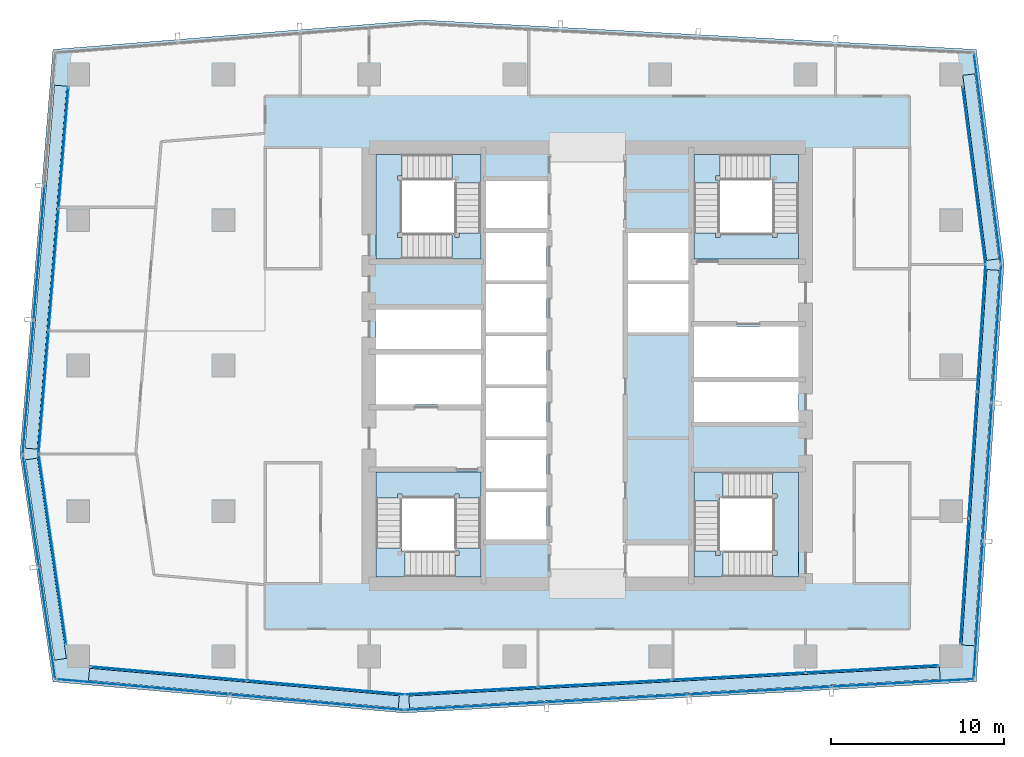
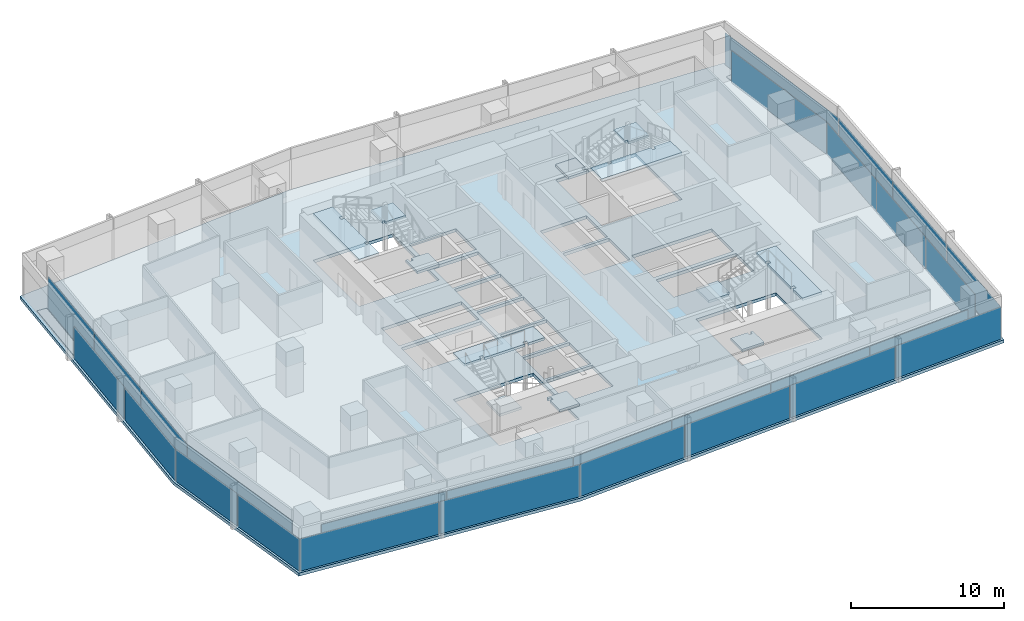
# One storey, part 21 of 30: 34 plates, 13 slabs, 16 elements without a shape of their own.
"""IFC4 building model written with IfcOpenShell, lengths in metres."""

from ifc_helpers import new_model, si_unit, direction, frame, origin, origin_2d, place, context, subcontext, project, spatial, polyline, rectangle, outline, extrude, material, layer, layer_set, type_object, element, aggregate, save


model = new_model("IFC4")

# Units and contexts
model_context = context("Model", 3, precision=1e-05, world=origin(), true_north=direction((0.0, 1.0)))
body_context = subcontext(model_context, "Body", "Model", "MODEL_VIEW")
ifc_project = project(units=[si_unit("LENGTHUNIT", "METRE"), si_unit("AREAUNIT", "SQUARE_METRE"), si_unit("VOLUMEUNIT", "CUBIC_METRE"), si_unit("PLANEANGLEUNIT", "RADIAN"), si_unit("MASSUNIT", "GRAM", prefix="KILO")], contexts=[model_context])

# Site, building, storey
site_placement = place(None, origin())
site = spatial("IfcSite", under=ifc_project, at=site_placement, CompositionType="ELEMENT")
building_placement = place(site_placement, origin())
building = spatial("IfcBuilding", under=site, at=building_placement, Name="Rekha Terrace Tower", CompositionType="ELEMENT")
storey_placement = place(building_placement, frame((0.0, 0.0, 272.60009765625)))
storey = spatial("IfcBuildingStorey", under=building, at=storey_placement, Name="L69", CompositionType="ELEMENT", Elevation=272.60009765625)

# Curtain wall, plates
ifc_material_1 = material(Name="Aluminium framing", Category="aluminium")
curtain_wall_type_1 = type_object("IfcCurtainWallType", Name="CW1 double skin inner glazing", PredefinedType="USERDEFINED", material=ifc_material_1)
curtain_wall_1_placement = place(storey_placement, origin())
curtain_wall_1 = element("IfcCurtainWall", 1, at=curtain_wall_1_placement, inside=storey, type_object=curtain_wall_type_1, Name="CW1 double skin inner glazing", ObjectType="DOUBLE SKIN INNER GLAZING", PredefinedType="USERDEFINED")
ifc_material_2 = material(Name="Double-glazed low-e unit 32", Category="glass")
ifc_layer_1 = layer(ifc_material_2, 0.031982421875)
ifc_layer_set_1 = layer_set([ifc_layer_1], Name="Double-glazed low-e unit 32")
plate_type_1 = type_object("IfcPlateType", Name="CW1 jumbo vision panel, double-glazed low-e unit 32", PredefinedType="CURTAIN_PANEL", material=ifc_layer_set_1)
plate_1_placement = place(storey_placement, frame((13.62939453125, 15.820556640625, -0.000244140625), z_axis=(0.0, 0.0, 1.0), x_axis=(0.996074182663, -0.088522441405, 0.0)))
plate_1 = element("IfcPlate", 2, at=plate_1_placement, type_object=plate_type_1, Name="CW1 panel 1.1", PredefinedType="CURTAIN_PANEL", context=body_context, shape_type="SweptSolid", body=[
    extrude(rectangle(XDim=9.010986328125, YDim=0.031982421875, at=origin_2d()), origin(), (0.0, 0.0, 1.0), 2.60009765625),
])
plate_2_placement = place(storey_placement, frame((22.701904296875, 15.01416015625, -0.000244140625), z_axis=(0.0, 0.0, 1.0), x_axis=(0.996074182663, -0.088522441405, 0.0)))
plate_2 = element("IfcPlate", 3, at=plate_2_placement, type_object=plate_type_1, Name="CW1 panel 2.1", PredefinedType="CURTAIN_PANEL", context=body_context, shape_type="SweptSolid", body=[
    extrude(rectangle(XDim=9.075927734375, YDim=0.031982421875, at=origin_2d()), origin(), (0.0, 0.0, 1.0), 2.60009765625),
])
aggregate(curtain_wall_1, [plate_1, plate_2])

curtain_wall_2_placement = place(storey_placement, origin())
curtain_wall_2 = element("IfcCurtainWall", 4, at=curtain_wall_2_placement, inside=storey, type_object=curtain_wall_type_1, Name="CW1 double skin inner glazing", ObjectType="DOUBLE SKIN INNER GLAZING", PredefinedType="USERDEFINED")
plate_3_placement = place(storey_placement, frame((31.101318359375, 14.82373046875, -0.000244140625), z_axis=(0.0, 0.0, 1.0), x_axis=(0.998519828159, 0.054388903036, 0.0)))
plate_3 = element("IfcPlate", 5, at=plate_3_placement, type_object=plate_type_1, Name="CW1 panel 1.1", PredefinedType="CURTAIN_PANEL", context=body_context, shape_type="SweptSolid", body=[
    extrude(rectangle(XDim=7.6396484375, YDim=0.031982421875, at=origin_2d()), origin(), (0.0, 0.0, 1.0), 2.60009765625),
])
plate_4_placement = place(storey_placement, frame((38.810791015625, 15.243896484375, -0.000244140625), z_axis=(0.0, 0.0, 1.0), x_axis=(0.998519828159, 0.054388903036, 0.0)))
plate_4 = element("IfcPlate", 6, at=plate_4_placement, type_object=plate_type_1, Name="CW1 panel 2.1", PredefinedType="CURTAIN_PANEL", context=body_context, shape_type="SweptSolid", body=[
    extrude(rectangle(XDim=7.672119140625, YDim=0.031982421875, at=origin_2d()), origin(), (0.0, 0.0, 1.0), 2.60009765625),
])
plate_5_placement = place(storey_placement, frame((46.536376953125, 15.66455078125, -0.000244140625), z_axis=(0.0, 0.0, 1.0), x_axis=(0.998519828159, 0.054388903036, 0.0)))
plate_5 = element("IfcPlate", 7, at=plate_5_placement, type_object=plate_type_1, Name="CW1 panel 3.1", PredefinedType="CURTAIN_PANEL", context=body_context, shape_type="SweptSolid", body=[
    extrude(rectangle(XDim=7.672119140625, YDim=0.031982421875, at=origin_2d()), origin(), (0.0, 0.0, 1.0), 2.60009765625),
])
plate_6_placement = place(storey_placement, frame((54.245849609375, 16.08447265625, -0.000244140625), z_axis=(0.0, 0.0, 1.0), x_axis=(0.998519828159, 0.054388903036, 0.0)))
plate_6 = element("IfcPlate", 8, at=plate_6_placement, type_object=plate_type_1, Name="CW1 panel 4.1", PredefinedType="CURTAIN_PANEL", context=body_context, shape_type="SweptSolid", body=[
    extrude(rectangle(XDim=7.6396484375, YDim=0.031982421875, at=origin_2d()), origin(), (0.0, 0.0, 1.0), 2.60009765625),
])
aggregate(curtain_wall_2, [plate_3, plate_4, plate_5, plate_6])

curtain_wall_3_placement = place(storey_placement, origin())
curtain_wall_3 = element("IfcCurtainWall", 9, at=curtain_wall_3_placement, inside=storey, type_object=curtain_wall_type_1, Name="CW1 double skin inner glazing", ObjectType="DOUBLE SKIN INNER GLAZING", PredefinedType="USERDEFINED")
plate_7_placement = place(storey_placement, frame((59.57275390625, 21.147705078125, -0.000244140625), z_axis=(0.0, 0.0, 1.0), x_axis=(0.066271589649, 0.997801621769, 0.0)))
plate_7 = element("IfcPlate", 10, at=plate_7_placement, type_object=plate_type_1, Name="CW1 panel 1.1", PredefinedType="CURTAIN_PANEL", context=body_context, shape_type="SweptSolid", body=[
    extrude(rectangle(XDim=7.228759765625, YDim=0.031982421875, at=origin_2d()), origin(), (0.0, 0.0, 1.0), 2.60009765625),
])
plate_8_placement = place(storey_placement, frame((60.05712890625, 28.441650390625, -0.000244140625), z_axis=(0.0, 0.0, 1.0), x_axis=(0.066271589649, 0.997801621769, 0.0)))
plate_8 = element("IfcPlate", 11, at=plate_8_placement, type_object=plate_type_1, Name="CW1 panel 2.1", PredefinedType="CURTAIN_PANEL", context=body_context, shape_type="SweptSolid", body=[
    extrude(rectangle(XDim=7.261474609375, YDim=0.031982421875, at=origin_2d()), origin(), (0.0, 0.0, 1.0), 2.60009765625),
])
plate_9_placement = place(storey_placement, frame((60.543701171875, 35.76806640625, -0.000244140625), z_axis=(0.0, 0.0, 1.0), x_axis=(0.066271589649, 0.997801621769, 0.0)))
plate_9 = element("IfcPlate", 12, at=plate_9_placement, type_object=plate_type_1, Name="CW1 panel 3.1", PredefinedType="CURTAIN_PANEL", context=body_context, shape_type="SweptSolid", body=[
    extrude(rectangle(XDim=7.2939453125, YDim=0.031982421875, at=origin_2d()), origin(), (0.0, 0.0, 1.0), 2.60009765625),
])
aggregate(curtain_wall_3, [plate_7, plate_8, plate_9])

# Curtain wall, plate
curtain_wall_4_placement = place(storey_placement, origin())
curtain_wall_4 = element("IfcCurtainWall", 13, at=curtain_wall_4_placement, inside=storey, type_object=curtain_wall_type_1, Name="CW1 double skin inner glazing", ObjectType="DOUBLE SKIN INNER GLAZING", PredefinedType="USERDEFINED")
plate_10_placement = place(storey_placement, frame((60.119873046875, 44.56884765625, -0.000244140625), z_axis=(0.0, 0.0, 1.0), x_axis=(-0.127869904766, 0.991790949472, 0.0)))
plate_10 = element("IfcPlate", 14, at=plate_10_placement, type_object=plate_type_1, Name="CW1 panel 1.1", PredefinedType="CURTAIN_PANEL", context=body_context, shape_type="SweptSolid", body=[
    extrude(rectangle(XDim=10.27880859375, YDim=0.031982421875, at=origin_2d()), origin(), (0.0, 0.0, 1.0), 2.60009765625),
])
aggregate(curtain_wall_4, [plate_10])

# Curtain wall, plates
curtain_wall_5_placement = place(storey_placement, origin())
curtain_wall_5 = element("IfcCurtainWall", 15, at=curtain_wall_5_placement, inside=storey, type_object=curtain_wall_type_1, Name="CW1 double skin inner glazing", ObjectType="DOUBLE SKIN INNER GLAZING", PredefinedType="USERDEFINED")
plate_11_placement = place(storey_placement, frame((7.5517578125, 46.173095703125, -0.000244140625), z_axis=(0.0, 0.0, 1.0), x_axis=(-0.081067906781, -0.996708580524, 0.0)))
plate_11 = element("IfcPlate", 16, at=plate_11_placement, type_object=plate_type_1, Name="CW1 panel 1.1", PredefinedType="CURTAIN_PANEL", context=body_context, shape_type="SweptSolid", body=[
    extrude(rectangle(XDim=6.9921875, YDim=0.031982421875, at=origin_2d()), origin(), (0.0, 0.0, 1.0), 2.60009765625),
])
plate_12_placement = place(storey_placement, frame((6.978271484375, 39.123046875, -0.000244140625), z_axis=(0.0, 0.0, 1.0), x_axis=(-0.081067906781, -0.996708580524, 0.0)))
plate_12 = element("IfcPlate", 17, at=plate_12_placement, type_object=plate_type_1, Name="CW1 panel 2.1", PredefinedType="CURTAIN_PANEL", context=body_context, shape_type="SweptSolid", body=[
    extrude(rectangle(XDim=7.024658203125, YDim=0.031982421875, at=origin_2d()), origin(), (0.0, 0.0, 1.0), 2.60009765625),
])
plate_13_placement = place(storey_placement, frame((6.40234375, 32.040283203125, -0.000244140625), z_axis=(0.0, 0.0, 1.0), x_axis=(-0.081067906781, -0.996708580524, 0.0)))
plate_13 = element("IfcPlate", 18, at=plate_13_placement, type_object=plate_type_1, Name="CW1 panel 3.1", PredefinedType="CURTAIN_PANEL", context=body_context, shape_type="SweptSolid", body=[
    extrude(rectangle(XDim=7.057373046875, YDim=0.031982421875, at=origin_2d()), origin(), (0.0, 0.0, 1.0), 2.60009765625),
])
aggregate(curtain_wall_5, [plate_11, plate_12, plate_13])

# Curtain wall, plate
curtain_wall_6_placement = place(storey_placement, origin())
curtain_wall_6 = element("IfcCurtainWall", 19, at=curtain_wall_6_placement, inside=storey, type_object=curtain_wall_type_1, Name="CW1 double skin inner glazing", ObjectType="DOUBLE SKIN INNER GLAZING", PredefinedType="USERDEFINED")
plate_14_placement = place(storey_placement, frame((6.915771484375, 22.994140625, -0.000244140625), z_axis=(0.0, 0.0, 1.0), x_axis=(0.143108322643, -0.989707031394, 0.0)))
plate_14 = element("IfcPlate", 20, at=plate_14_placement, type_object=plate_type_1, Name="CW1 panel 1.1", PredefinedType="CURTAIN_PANEL", context=body_context, shape_type="SweptSolid", body=[
    extrude(rectangle(XDim=11.043212890625, YDim=0.031982421875, at=origin_2d()), origin(), (0.0, 0.0, 1.0), 2.60009765625),
])
aggregate(curtain_wall_6, [plate_14])

# Curtain wall, plates
curtain_wall_type_2 = type_object("IfcCurtainWallType", Name="CW2 double skin outer glazing", PredefinedType="USERDEFINED", material=ifc_material_1)
curtain_wall_7_placement = place(storey_placement, origin())
curtain_wall_7 = element("IfcCurtainWall", 21, at=curtain_wall_7_placement, inside=storey, type_object=curtain_wall_type_2, Name="CW2 double skin outer glazing", ObjectType="DOUBLE SKIN OUTER GLAZING", PredefinedType="USERDEFINED")
ifc_material_3 = material(Name="Toughened single glazing 12", Category="glass")
ifc_layer_2 = layer(ifc_material_3, 0.011962890625)
ifc_layer_set_2 = layer_set([ifc_layer_2], Name="Toughened single glazing 12")
plate_type_2 = type_object("IfcPlateType", Name="CW2 jumbo vision panel, toughened single glazing 12", PredefinedType="CURTAIN_PANEL", material=ifc_layer_set_2)
plate_15_placement = place(storey_placement, frame((12.139404296875, 15.049560546875, -0.000244140625), z_axis=(0.0, 0.0, 1.0), x_axis=(0.996074182658, -0.088522441457, 0.0)))
plate_15 = element("IfcPlate", 22, at=plate_15_placement, type_object=plate_type_2, Name="CW2 panel 1.1", PredefinedType="CURTAIN_PANEL", context=body_context, shape_type="SweptSolid", body=[
    extrude(rectangle(XDim=9.977783203125, YDim=0.011962890625, at=origin_2d()), origin(), (0.0, 0.0, 1.0), 2.60009765625),
])
plate_16_placement = place(storey_placement, frame((22.197509765625, 14.155517578125, -0.000244140625), z_axis=(0.0, 0.0, 1.0), x_axis=(0.996074182658, -0.088522441457, 0.0)))
plate_16 = element("IfcPlate", 23, at=plate_16_placement, type_object=plate_type_2, Name="CW2 panel 2.1", PredefinedType="CURTAIN_PANEL", context=body_context, shape_type="SweptSolid", body=[
    extrude(rectangle(XDim=10.057861328125, YDim=0.011962890625, at=origin_2d()), origin(), (0.0, 0.0, 1.0), 2.60009765625),
])
aggregate(curtain_wall_7, [plate_15, plate_16])

curtain_wall_8_placement = place(storey_placement, origin())
curtain_wall_8 = element("IfcCurtainWall", 24, at=curtain_wall_8_placement, inside=storey, type_object=curtain_wall_type_2, Name="CW2 double skin outer glazing", ObjectType="DOUBLE SKIN OUTER GLAZING", PredefinedType="USERDEFINED")
plate_17_placement = place(storey_placement, frame((31.33837890625, 13.935546875, -0.000244140625), z_axis=(0.0, 0.0, 1.0), x_axis=(0.998519828157, 0.054388903071, 0.0)))
plate_17 = element("IfcPlate", 25, at=plate_17_placement, type_object=plate_type_2, Name="CW2 panel 1.1", PredefinedType="CURTAIN_PANEL", context=body_context, shape_type="SweptSolid", body=[
    extrude(rectangle(XDim=8.115478515625, YDim=0.011962890625, at=origin_2d()), origin(), (0.0, 0.0, 1.0), 2.60009765625),
])
plate_18_placement = place(storey_placement, frame((39.54150390625, 14.38232421875, -0.000244140625), z_axis=(0.0, 0.0, 1.0), x_axis=(0.998519828157, 0.054388903071, 0.0)))
plate_18 = element("IfcPlate", 26, at=plate_18_placement, type_object=plate_type_2, Name="CW2 panel 2.1", PredefinedType="CURTAIN_PANEL", context=body_context, shape_type="SweptSolid", body=[
    extrude(rectangle(XDim=8.155517578125, YDim=0.011962890625, at=origin_2d()), origin(), (0.0, 0.0, 1.0), 2.60009765625),
])
plate_19_placement = place(storey_placement, frame((47.764892578125, 14.830078125, -0.000244140625), z_axis=(0.0, 0.0, 1.0), x_axis=(0.998519828157, 0.054388903071, 0.0)))
plate_19 = element("IfcPlate", 27, at=plate_19_placement, type_object=plate_type_2, Name="CW2 panel 3.1", PredefinedType="CURTAIN_PANEL", context=body_context, shape_type="SweptSolid", body=[
    extrude(rectangle(XDim=8.155517578125, YDim=0.011962890625, at=origin_2d()), origin(), (0.0, 0.0, 1.0), 2.60009765625),
])
plate_20_placement = place(storey_placement, frame((56.008056640625, 15.279296875, -0.000244140625), z_axis=(0.0, 0.0, 1.0), x_axis=(0.998519828157, 0.054388903071, 0.0)))
plate_20 = element("IfcPlate", 28, at=plate_20_placement, type_object=plate_type_2, Name="CW2 panel 4.1", PredefinedType="CURTAIN_PANEL", context=body_context, shape_type="SweptSolid", body=[
    extrude(rectangle(XDim=8.195556640625, YDim=0.011962890625, at=origin_2d()), origin(), (0.0, 0.0, 1.0), 2.60009765625),
])
aggregate(curtain_wall_8, [plate_17, plate_18, plate_19, plate_20])

curtain_wall_9_placement = place(storey_placement, origin())
curtain_wall_9 = element("IfcCurtainWall", 29, at=curtain_wall_9_placement, inside=storey, type_object=curtain_wall_type_2, Name="CW2 double skin outer glazing", ObjectType="DOUBLE SKIN OUTER GLAZING", PredefinedType="USERDEFINED")
plate_21_placement = place(storey_placement, frame((60.365966796875, 19.5107421875, -0.000244140625), z_axis=(0.0, 0.0, 1.0), x_axis=(0.066271589649, 0.997801621769, 0.0)))
plate_21 = element("IfcPlate", 30, at=plate_21_placement, type_object=plate_type_2, Name="CW2 panel 1.1", PredefinedType="CURTAIN_PANEL", context=body_context, shape_type="SweptSolid", body=[
    extrude(rectangle(XDim=7.875244140625, YDim=0.011962890625, at=origin_2d()), origin(), (0.0, 0.0, 1.0), 2.60009765625),
])
plate_22_placement = place(storey_placement, frame((60.89453125, 27.468505859375, -0.000244140625), z_axis=(0.0, 0.0, 1.0), x_axis=(0.066271589649, 0.997801621769, 0.0)))
plate_22 = element("IfcPlate", 31, at=plate_22_placement, type_object=plate_type_2, Name="CW2 panel 2.1", PredefinedType="CURTAIN_PANEL", context=body_context, shape_type="SweptSolid", body=[
    extrude(rectangle(XDim=7.915283203125, YDim=0.011962890625, at=origin_2d()), origin(), (0.0, 0.0, 1.0), 2.60009765625),
])
plate_23_placement = place(storey_placement, frame((61.42578125, 35.466064453125, -0.000244140625), z_axis=(0.0, 0.0, 1.0), x_axis=(0.066271589649, 0.997801621769, 0.0)))
plate_23 = element("IfcPlate", 32, at=plate_23_placement, type_object=plate_type_2, Name="CW2 panel 3.1", PredefinedType="CURTAIN_PANEL", context=body_context, shape_type="SweptSolid", body=[
    extrude(rectangle(XDim=7.955322265625, YDim=0.011962890625, at=origin_2d()), origin(), (0.0, 0.0, 1.0), 2.60009765625),
])
aggregate(curtain_wall_9, [plate_21, plate_22, plate_23])

# Curtain wall, plate
curtain_wall_10_placement = place(storey_placement, origin())
curtain_wall_10 = element("IfcCurtainWall", 33, at=curtain_wall_10_placement, inside=storey, type_object=curtain_wall_type_2, Name="CW2 double skin outer glazing", ObjectType="DOUBLE SKIN OUTER GLAZING", PredefinedType="USERDEFINED")
plate_24_placement = place(storey_placement, frame((60.89892578125, 45.566162109375, -0.000244140625), z_axis=(0.0, 0.0, 1.0), x_axis=(-0.12786990487, 0.991790949459, 0.0)))
plate_24 = element("IfcPlate", 34, at=plate_24_placement, type_object=plate_type_2, Name="CW2 panel 1.1", PredefinedType="CURTAIN_PANEL", context=body_context, shape_type="SweptSolid", body=[
    extrude(rectangle(XDim=12.203857421875, YDim=0.011962890625, at=origin_2d()), origin(), (0.0, 0.0, 1.0), 2.60009765625),
])
aggregate(curtain_wall_10, [plate_24])

# Curtain wall, plates
curtain_wall_11_placement = place(storey_placement, origin())
curtain_wall_11 = element("IfcCurtainWall", 35, at=curtain_wall_11_placement, inside=storey, type_object=curtain_wall_type_2, Name="CW2 double skin outer glazing", ObjectType="DOUBLE SKIN OUTER GLAZING", PredefinedType="USERDEFINED")
plate_25_placement = place(storey_placement, frame((6.15478515625, 40.09814453125, -0.000244140625), z_axis=(0.0, 0.0, 1.0), x_axis=(-0.081067906816, -0.996708580521, 0.0)))
plate_25 = element("IfcPlate", 36, at=plate_25_placement, type_object=plate_type_2, Name="CW2 panel 2.1", PredefinedType="CURTAIN_PANEL", context=body_context, shape_type="SweptSolid", body=[
    extrude(rectangle(XDim=7.680908203125, YDim=0.011962890625, at=origin_2d()), origin(), (0.0, 0.0, 1.0), 2.60009765625),
])
plate_26_placement = place(storey_placement, frame((5.52392578125, 32.3427734375, -0.000244140625), z_axis=(0.0, 0.0, 1.0), x_axis=(-0.081067906816, -0.996708580521, 0.0)))
plate_26 = element("IfcPlate", 37, at=plate_26_placement, type_object=plate_type_2, Name="CW2 panel 3.1", PredefinedType="CURTAIN_PANEL", context=body_context, shape_type="SweptSolid", body=[
    extrude(rectangle(XDim=7.720947265625, YDim=0.011962890625, at=origin_2d()), origin(), (0.0, 0.0, 1.0), 2.60009765625),
])
aggregate(curtain_wall_11, [plate_25, plate_26])

curtain_wall_12_placement = place(storey_placement, origin())
curtain_wall_12 = element("IfcCurtainWall", 38, at=curtain_wall_12_placement, inside=storey, type_object=curtain_wall_type_2, Name="CW2 double skin outer glazing", ObjectType="DOUBLE SKIN OUTER GLAZING", PredefinedType="USERDEFINED")
plate_27_placement = place(storey_placement, frame((5.68359375, 25.22607421875, -0.000244140625), z_axis=(0.0, 0.0, 1.0), x_axis=(0.143108322678, -0.989707031389, 0.0)))
plate_27 = element("IfcPlate", 39, at=plate_27_placement, type_object=plate_type_2, Name="CW2 panel 1.1", PredefinedType="CURTAIN_PANEL", context=body_context, shape_type="SweptSolid", body=[
    extrude(rectangle(XDim=6.446044921875, YDim=0.011962890625, at=origin_2d()), origin(), (0.0, 0.0, 1.0), 2.60009765625),
])
plate_28_placement = place(storey_placement, frame((6.623291015625, 18.7275390625, -0.000244140625), z_axis=(0.0, 0.0, 1.0), x_axis=(0.143108322678, -0.989707031389, 0.0)))
plate_28 = element("IfcPlate", 40, at=plate_28_placement, type_object=plate_type_2, Name="CW2 panel 2.1", PredefinedType="CURTAIN_PANEL", context=body_context, shape_type="SweptSolid", body=[
    extrude(rectangle(XDim=6.526123046875, YDim=0.011962890625, at=origin_2d()), origin(), (0.0, 0.0, 1.0), 2.60009765625),
])
aggregate(curtain_wall_12, [plate_27, plate_28])

# Plates
ifc_material_4 = material(Name="Galvanised steel open grating", Category="steel")
ifc_layer_3 = layer(ifc_material_4, 0.050048828125)
ifc_layer_set_3 = layer_set([ifc_layer_3], Name="Galvanised steel open grating")
plate_type_3 = type_object("IfcPlateType", Name="GT1 cavity walkway grating 50", PredefinedType="USERDEFINED", material=ifc_layer_set_3)
plate_29_placement = place(storey_placement, frame((17.974853515625, 14.982666015625, 0.0), z_axis=(0.0, 0.0, 1.0), x_axis=(0.99607418266, -0.08852244144, 0.0)))
element("IfcPlate", 41, at=plate_29_placement, inside=storey, type_object=plate_type_3, Name="Cavity walkway grating", ObjectType="CAVITY WALKWAY GRATING", PredefinedType="USERDEFINED", context=body_context, shape_type="SweptSolid", body=[
    extrude(rectangle(XDim=17.9521484375, YDim=0.705078125, at=origin_2d()), origin(), (0.0, 0.0, 1.0), 0.050048828125),
])
plate_30_placement = place(storey_placement, frame((42.830322265625, 15.011962890625, 0.0), z_axis=(0.0, 0.0, 1.0), x_axis=(0.998519828157, 0.054388903071, 0.0)))
element("IfcPlate", 42, at=plate_30_placement, inside=storey, type_object=plate_type_3, Name="Cavity walkway grating", ObjectType="CAVITY WALKWAY GRATING", PredefinedType="USERDEFINED", context=body_context, shape_type="SweptSolid", body=[
    extrude(rectangle(XDim=30.677978515625, YDim=0.705078125, at=origin_2d()), origin(), (0.0, 0.0, 1.0), 0.050048828125),
])
plate_31_placement = place(storey_placement, frame((60.497802734375, 28.284912109375, 0.0), z_axis=(0.0, 0.0, 1.0), x_axis=(0.066271589649, 0.997801621769, 0.0)))
element("IfcPlate", 43, at=plate_31_placement, inside=storey, type_object=plate_type_3, Name="Cavity walkway grating", ObjectType="CAVITY WALKWAY GRATING", PredefinedType="USERDEFINED", context=body_context, shape_type="SweptSolid", body=[
    extrude(rectangle(XDim=21.72119140625, YDim=0.705078125, at=origin_2d()), origin(), (0.0, 0.0, 1.0), 0.050048828125),
])
plate_32_placement = place(storey_placement, frame((60.510498046875, 45.058837890625, 0.0), z_axis=(0.0, 0.0, 1.0), x_axis=(-0.127869904852, 0.991790949461, 0.0)))
element("IfcPlate", 44, at=plate_32_placement, inside=storey, type_object=plate_type_3, Name="Cavity walkway grating", ObjectType="CAVITY WALKWAY GRATING", PredefinedType="USERDEFINED", context=body_context, shape_type="SweptSolid", body=[
    extrude(rectangle(XDim=10.76904296875, YDim=0.705078125, at=origin_2d()), origin(), (0.0, 0.0, 1.0), 0.050048828125),
])
plate_33_placement = place(storey_placement, frame((6.5400390625, 39.28369140625, 0.0), z_axis=(0.0, 0.0, 1.0), x_axis=(-0.081067906798, -0.996708580523, 0.0)))
element("IfcPlate", 45, at=plate_33_placement, inside=storey, type_object=plate_type_3, Name="Cavity walkway grating", ObjectType="CAVITY WALKWAY GRATING", PredefinedType="USERDEFINED", context=body_context, shape_type="SweptSolid", body=[
    extrude(rectangle(XDim=21.02001953125, YDim=0.705078125, at=origin_2d()), origin(), (0.0, 0.0, 1.0), 0.050048828125),
])
plate_34_placement = place(storey_placement, frame((6.54248046875, 22.4306640625, 0.0), z_axis=(0.0, 0.0, 1.0), x_axis=(0.143108322643, -0.989707031394, 0.0)))
element("IfcPlate", 46, at=plate_34_placement, inside=storey, type_object=plate_type_3, Name="Cavity walkway grating", ObjectType="CAVITY WALKWAY GRATING", PredefinedType="USERDEFINED", context=body_context, shape_type="SweptSolid", body=[
    extrude(rectangle(XDim=11.68310546875, YDim=0.705078125, at=origin_2d()), origin(), (0.0, 0.0, 1.0), 0.050048828125),
])

# Stair, slabs
ifc_material_5 = material(Name="Concrete M40", Category="concrete")
stair_type = type_object("IfcStairType", Name="ST30 stair, 30 risers of 125, going 320, 1500 wide flights, 3 flights", PredefinedType="HALF_TURN_STAIR", material=ifc_material_5)
stair_1_placement = place(storey_placement, origin())
stair_1 = element("IfcStair", 47, at=stair_1_placement, inside=storey, type_object=stair_type, Name="Stair ST1 L69 to L70", PredefinedType="HALF_TURN_STAIR")
ifc_layer_4 = layer(ifc_material_5, 0.199951171875)
ifc_layer_set_4 = layer_set([ifc_layer_4], Name="Concrete M40")
slab_type_1 = type_object("IfcSlabType", Name="LD1 200 concrete stair landing", PredefinedType="LANDING", material=ifc_layer_set_4)
slab_1_placement = place(storey_placement, frame((0.0, 0.0, 1.0498046875)))
slab_1 = element("IfcSlab", 48, at=slab_1_placement, type_object=slab_type_1, Name="ST1 landing 1", PredefinedType="LANDING", context=body_context, shape_type="SweptSolid", body=[
    extrude(outline(polyline([(30.14990234375, 21.39990234375), (31.64990234375, 21.39990234375), (31.64990234375, 23.070068359375), (30.14990234375, 23.070068359375), (30.14990234375, 22.89990234375), (30.39990234375, 22.89990234375), (30.39990234375, 22.64990234375), (30.14990234375, 22.64990234375), (30.14990234375, 21.39990234375)])), origin(), (0.0, 0.0, 1.0), 0.2001953125),
])
slab_2_placement = place(storey_placement, frame((0.0, 0.0, 2.2998046875)))
slab_2 = element("IfcSlab", 49, at=slab_2_placement, type_object=slab_type_1, Name="ST1 landing 2", PredefinedType="LANDING", context=body_context, shape_type="SweptSolid", body=[
    extrude(outline(polyline([(27.10009765625, 23.070068359375), (25.60009765625, 23.070068359375), (25.60009765625, 21.39990234375), (27.27001953125, 21.39990234375), (27.27001953125, 22.89990234375), (27.10009765625, 22.89990234375), (27.10009765625, 23.070068359375)])), origin(), (0.0, 0.0, 1.0), 0.2001953125),
])
slab_3_placement = place(storey_placement, frame((0.0, 0.0, 3.5498046875)))
slab_3 = element("IfcSlab", 50, at=slab_3_placement, type_object=slab_type_1, Name="ST1 landing 3", PredefinedType="LANDING", context=body_context, shape_type="SweptSolid", body=[
    extrude(outline(polyline([(31.64990234375, 25.949951171875), (31.64990234375, 27.449951171875), (25.60009765625, 27.449951171875), (25.60009765625, 25.949951171875), (26.85009765625, 25.949951171875), (26.85009765625, 26.199951171875), (27.10009765625, 26.199951171875), (27.10009765625, 25.949951171875), (30.14990234375, 25.949951171875), (30.14990234375, 26.199951171875), (30.39990234375, 26.199951171875), (30.39990234375, 25.949951171875), (31.64990234375, 25.949951171875)])), origin(), (0.0, 0.0, 1.0), 0.2001953125),
])
aggregate(stair_1, [slab_1, slab_2, slab_3])

stair_2_placement = place(storey_placement, origin())
stair_2 = element("IfcStair", 51, at=stair_2_placement, inside=storey, type_object=stair_type, Name="Stair ST2 L69 to L70", PredefinedType="HALF_TURN_STAIR")
slab_4_placement = place(storey_placement, frame((0.0, 0.0, 1.0498046875)))
slab_4 = element("IfcSlab", 52, at=slab_4_placement, type_object=slab_type_1, Name="ST2 landing 1", PredefinedType="LANDING", context=body_context, shape_type="SweptSolid", body=[
    extrude(outline(polyline([(45.449951171875, 45.800048828125), (43.949951171875, 45.800048828125), (43.949951171875, 44.1298828125), (45.449951171875, 44.1298828125), (45.449951171875, 44.300048828125), (45.199951171875, 44.300048828125), (45.199951171875, 44.550048828125), (45.449951171875, 44.550048828125), (45.449951171875, 45.800048828125)])), origin(), (0.0, 0.0, 1.0), 0.2001953125),
])
slab_5_placement = place(storey_placement, frame((0.0, 0.0, 2.2998046875)))
slab_5 = element("IfcSlab", 53, at=slab_5_placement, type_object=slab_type_1, Name="ST2 landing 2", PredefinedType="LANDING", context=body_context, shape_type="SweptSolid", body=[
    extrude(outline(polyline([(48.5, 44.1298828125), (50.0, 44.1298828125), (50.0, 45.800048828125), (48.330078125, 45.800048828125), (48.330078125, 44.300048828125), (48.5, 44.300048828125), (48.5, 44.1298828125)])), origin(), (0.0, 0.0, 1.0), 0.2001953125),
])
slab_6_placement = place(storey_placement, frame((0.0, 0.0, 3.5498046875)))
slab_6 = element("IfcSlab", 54, at=slab_6_placement, type_object=slab_type_1, Name="ST2 landing 3", PredefinedType="LANDING", context=body_context, shape_type="SweptSolid", body=[
    extrude(outline(polyline([(43.949951171875, 41.25), (43.949951171875, 39.75), (50.0, 39.75), (50.0, 41.25), (48.75, 41.25), (48.75, 41.0), (48.5, 41.0), (48.5, 41.25), (45.449951171875, 41.25), (45.449951171875, 41.0), (45.199951171875, 41.0), (45.199951171875, 41.25), (43.949951171875, 41.25)])), origin(), (0.0, 0.0, 1.0), 0.2001953125),
])
aggregate(stair_2, [slab_4, slab_5, slab_6])

stair_3_placement = place(storey_placement, origin())
stair_3 = element("IfcStair", 55, at=stair_3_placement, inside=storey, type_object=stair_type, Name="Stair ST3 L69 to L70", PredefinedType="HALF_TURN_STAIR")
slab_7_placement = place(storey_placement, frame((0.0, 0.0, 1.0498046875)))
slab_7 = element("IfcSlab", 56, at=slab_7_placement, type_object=slab_type_1, Name="ST3 landing 1", PredefinedType="LANDING", context=body_context, shape_type="SweptSolid", body=[
    extrude(outline(polyline([(43.949951171875, 22.89990234375), (43.949951171875, 21.39990234375), (45.6201171875, 21.39990234375), (45.6201171875, 22.89990234375), (45.449951171875, 22.89990234375), (45.449951171875, 22.64990234375), (45.199951171875, 22.64990234375), (45.199951171875, 22.89990234375), (43.949951171875, 22.89990234375)])), origin(), (0.0, 0.0, 1.0), 0.2001953125),
])
slab_8_placement = place(storey_placement, frame((0.0, 0.0, 2.2998046875)))
slab_8 = element("IfcSlab", 57, at=slab_8_placement, type_object=slab_type_1, Name="ST3 landing 2", PredefinedType="LANDING", context=body_context, shape_type="SweptSolid", body=[
    extrude(outline(polyline([(45.6201171875, 25.949951171875), (45.6201171875, 27.449951171875), (43.949951171875, 27.449951171875), (43.949951171875, 25.780029296875), (45.449951171875, 25.780029296875), (45.449951171875, 25.949951171875), (45.6201171875, 25.949951171875)])), origin(), (0.0, 0.0, 1.0), 0.2001953125),
])
slab_9_placement = place(storey_placement, frame((0.0, 0.0, 3.5498046875)))
slab_9 = element("IfcSlab", 58, at=slab_9_placement, type_object=slab_type_1, Name="ST3 landing 3", PredefinedType="LANDING", context=body_context, shape_type="SweptSolid", body=[
    extrude(outline(polyline([(48.5, 21.39990234375), (50.0, 21.39990234375), (50.0, 27.449951171875), (48.5, 27.449951171875), (48.5, 26.199951171875), (48.75, 26.199951171875), (48.75, 25.949951171875), (48.5, 25.949951171875), (48.5, 22.89990234375), (48.75, 22.89990234375), (48.75, 22.64990234375), (48.5, 22.64990234375), (48.5, 21.39990234375)])), origin(), (0.0, 0.0, 1.0), 0.2001953125),
])
aggregate(stair_3, [slab_7, slab_8, slab_9])

stair_4_placement = place(storey_placement, origin())
stair_4 = element("IfcStair", 59, at=stair_4_placement, inside=storey, type_object=stair_type, Name="Stair ST4 L69 to L70", PredefinedType="HALF_TURN_STAIR")
slab_10_placement = place(storey_placement, frame((0.0, 0.0, 1.0498046875)))
slab_10 = element("IfcSlab", 60, at=slab_10_placement, type_object=slab_type_1, Name="ST4 landing 1", PredefinedType="LANDING", context=body_context, shape_type="SweptSolid", body=[
    extrude(outline(polyline([(31.64990234375, 41.25), (31.64990234375, 39.75), (29.97998046875, 39.75), (29.97998046875, 41.25), (30.14990234375, 41.25), (30.14990234375, 41.0), (30.39990234375, 41.0), (30.39990234375, 41.25), (31.64990234375, 41.25)])), origin(), (0.0, 0.0, 1.0), 0.2001953125),
])
slab_11_placement = place(storey_placement, frame((0.0, 0.0, 2.2998046875)))
slab_11 = element("IfcSlab", 61, at=slab_11_placement, type_object=slab_type_1, Name="ST4 landing 2", PredefinedType="LANDING", context=body_context, shape_type="SweptSolid", body=[
    extrude(outline(polyline([(29.97998046875, 44.300048828125), (29.97998046875, 45.800048828125), (31.64990234375, 45.800048828125), (31.64990234375, 44.1298828125), (30.14990234375, 44.1298828125), (30.14990234375, 44.300048828125), (29.97998046875, 44.300048828125)])), origin(), (0.0, 0.0, 1.0), 0.2001953125),
])
slab_12_placement = place(storey_placement, frame((0.0, 0.0, 3.5498046875)))
slab_12 = element("IfcSlab", 62, at=slab_12_placement, type_object=slab_type_1, Name="ST4 landing 3", PredefinedType="LANDING", context=body_context, shape_type="SweptSolid", body=[
    extrude(outline(polyline([(27.10009765625, 39.75), (25.60009765625, 39.75), (25.60009765625, 45.800048828125), (27.10009765625, 45.800048828125), (27.10009765625, 44.550048828125), (26.85009765625, 44.550048828125), (26.85009765625, 44.300048828125), (27.10009765625, 44.300048828125), (27.10009765625, 41.25), (26.85009765625, 41.25), (26.85009765625, 41.0), (27.10009765625, 41.0), (27.10009765625, 39.75)])), origin(), (0.0, 0.0, 1.0), 0.2001953125),
])
aggregate(stair_4, [slab_10, slab_11, slab_12])

# Slab
ifc_material_6 = material(Name="Concrete M50", Category="concrete")
ifc_layer_5 = layer(ifc_material_6, 0.25)
ifc_layer_set_5 = layer_set([ifc_layer_5], Name="Concrete M50")
slab_type_2 = type_object("IfcSlabType", Name="SL4 250 post-tensioned flat plate", PredefinedType="FLOOR", material=ifc_layer_set_5)
slab_13_placement = place(storey_placement, frame((0.0, 0.0, -0.25)))
element("IfcSlab", 63, at=slab_13_placement, inside=storey, type_object=slab_type_2, Name="Post-tensioned flat plate L69", PredefinedType="FLOOR", context=body_context, shape_type="SweptSolid", body=[
    extrude(outline(polyline([(5.050048828125, 28.489990234375), (6.949951171875, 15.35009765625), (27.2041015625, 13.550048828125), (60.25, 15.35009765625), (61.85009765625, 39.43994140625), (60.25, 51.85009765625), (28.27001953125, 53.550048828125), (6.949951171875, 51.85009765625), (5.050048828125, 28.489990234375)]), holes=[polyline([(31.64990234375, 27.449951171875), (31.64990234375, 21.39990234375), (25.60009765625, 21.39990234375), (25.60009765625, 27.449951171875), (31.64990234375, 27.449951171875)]), polyline([(35.449951171875, 26.300048828125), (35.449951171875, 23.550048828125), (31.949951171875, 23.550048828125), (31.949951171875, 26.300048828125), (35.449951171875, 26.300048828125)]), polyline([(35.449951171875, 29.300048828125), (35.449951171875, 26.5), (31.949951171875, 26.5), (31.949951171875, 29.300048828125), (35.449951171875, 29.300048828125)]), polyline([(35.449951171875, 32.300048828125), (35.449951171875, 29.5), (31.949951171875, 29.5), (31.949951171875, 32.300048828125), (35.449951171875, 32.300048828125)]), polyline([(31.64990234375, 34.25), (31.64990234375, 31.35009765625), (25.60009765625, 31.35009765625), (25.60009765625, 34.25), (31.64990234375, 34.25)]), polyline([(35.449951171875, 35.300048828125), (35.449951171875, 32.5), (31.949951171875, 32.5), (31.949951171875, 35.300048828125), (35.449951171875, 35.300048828125)]), polyline([(31.64990234375, 36.85009765625), (31.64990234375, 34.550048828125), (25.60009765625, 34.550048828125), (25.60009765625, 36.85009765625), (31.64990234375, 36.85009765625)]), polyline([(35.449951171875, 38.300048828125), (35.449951171875, 35.5), (31.949951171875, 35.5), (31.949951171875, 38.300048828125), (35.449951171875, 38.300048828125)]), polyline([(31.64990234375, 45.800048828125), (31.64990234375, 39.75), (25.60009765625, 39.75), (25.60009765625, 45.800048828125), (31.64990234375, 45.800048828125)]), polyline([(50.0, 27.449951171875), (50.0, 21.39990234375), (43.949951171875, 21.39990234375), (43.949951171875, 27.449951171875), (50.0, 27.449951171875)]), polyline([(50.0, 32.64990234375), (50.0, 30.35009765625), (43.949951171875, 30.35009765625), (43.949951171875, 32.64990234375), (50.0, 32.64990234375)]), polyline([(50.0, 35.85009765625), (50.0, 32.949951171875), (43.949951171875, 32.949951171875), (43.949951171875, 35.85009765625), (50.0, 35.85009765625)]), polyline([(43.64990234375, 38.300048828125), (43.64990234375, 35.5), (40.14990234375, 35.5), (40.14990234375, 38.300048828125), (43.64990234375, 38.300048828125)]), polyline([(35.449951171875, 41.25), (35.449951171875, 38.5), (31.949951171875, 38.5), (31.949951171875, 41.25), (35.449951171875, 41.25)]), polyline([(43.64990234375, 41.25), (43.64990234375, 38.5), (40.14990234375, 38.5), (40.14990234375, 41.25), (43.64990234375, 41.25)]), polyline([(50.0, 39.75), (43.949951171875, 39.75), (43.949951171875, 45.800048828125), (50.0, 45.800048828125), (50.0, 39.75)]), polyline([(35.5, 41.550048828125), (31.949951171875, 41.550048828125), (31.949951171875, 44.25), (35.5, 44.25), (35.5, 41.550048828125)])]), origin(), (0.0, 0.0, 1.0), 0.25),
])

save(model, "model.ifc")
